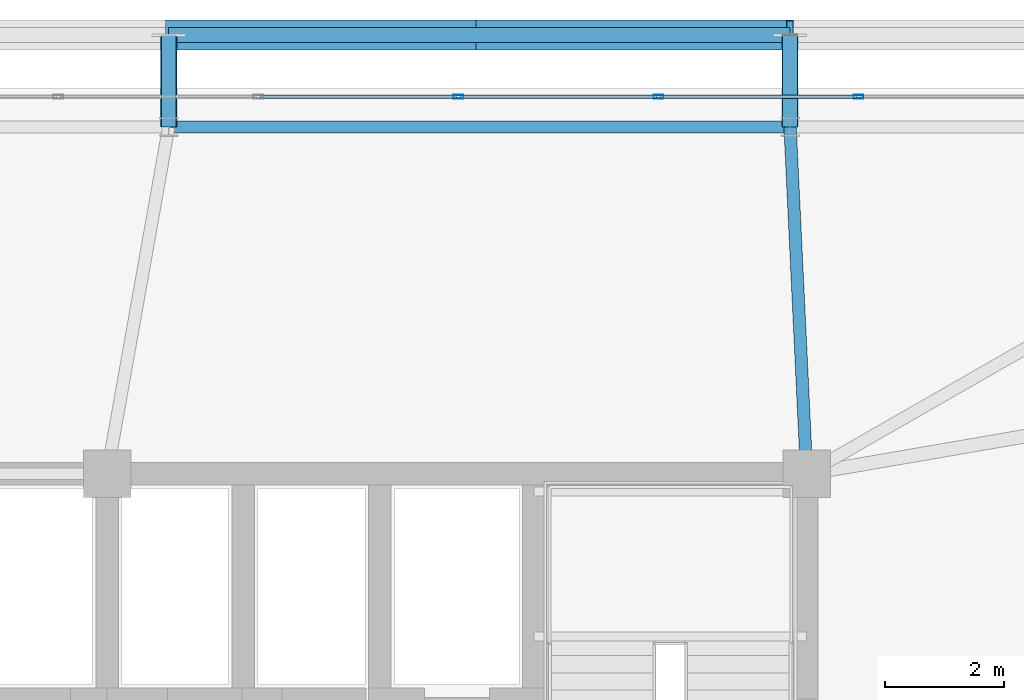
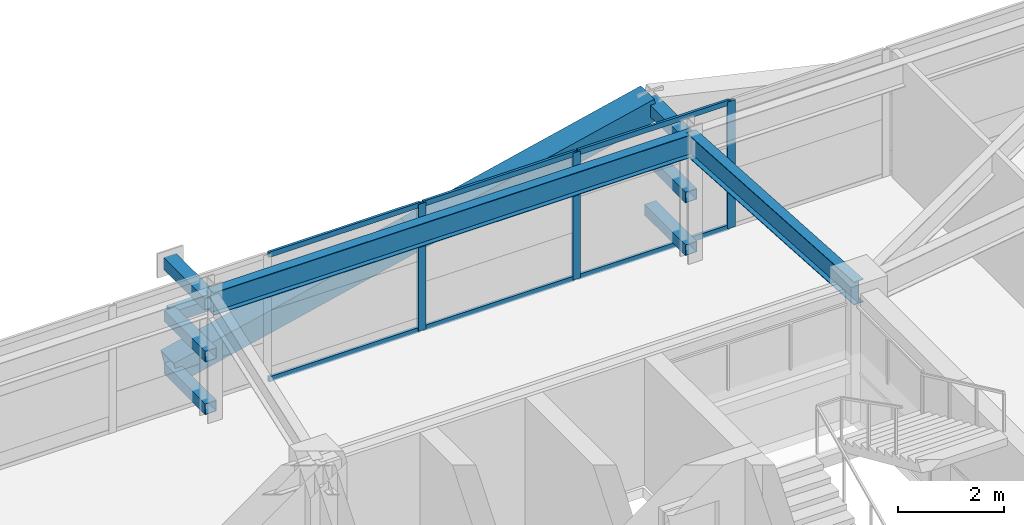
# One storey, part 38 of 59: 18 members, 2 beams, 1 element without a shape of its own.
"""IFC4 building model written with IfcOpenShell, lengths in metres."""

from ifc_helpers import new_model, si_unit, direction, frame, origin, origin_2d, place, context, subcontext, project, spatial, hollow_rectangle, i_section, extrude, source, transform, mapped, material, layer, layer_set, material_profile, profile_set, type_object, element, aggregate, save


model = new_model("IFC4")

# Units and contexts
model_context = context("Model", 3, precision=1e-05, world=origin(), true_north=direction((0.0, 1.0)))
body_context = subcontext(model_context, "Body", "Model", "MODEL_VIEW")
ifc_project = project(units=[si_unit("LENGTHUNIT", "METRE"), si_unit("AREAUNIT", "SQUARE_METRE"), si_unit("VOLUMEUNIT", "CUBIC_METRE"), si_unit("PLANEANGLEUNIT", "RADIAN"), si_unit("MASSUNIT", "GRAM", prefix="KILO")], contexts=[model_context])

# Site, building, storey
site_placement = place(None, origin())
site = spatial("IfcSite", under=ifc_project, at=site_placement, CompositionType="ELEMENT")
building_placement = place(site_placement, origin())
building = spatial("IfcBuilding", under=site, at=building_placement, Name="Taldren Reach Tower", CompositionType="ELEMENT")
storey_placement = place(building_placement, frame((0.0, 0.0, 26.25)))
storey = spatial("IfcBuildingStorey", under=building, at=storey_placement, Name="L07", CompositionType="ELEMENT", Elevation=26.25)

# Beams
ifc_material_1 = material(Name="Steel Gr 350 (350PLUS)", Category="steel")
ifc_material_profile_1 = material_profile(ifc_material_1, i_section(OverallWidth=0.208984375, OverallDepth=0.528076171875, WebThickness=0.009521484375, FlangeThickness=0.01318359375, at=origin_2d()), Name="530UB82.0")
ifc_profile_set_1 = profile_set([ifc_material_profile_1], Name="Steel Gr 350 (350PLUS)")
beam_type_1 = type_object("IfcBeamType", Name="SP-UB530B", PredefinedType="SPANDREL", material=ifc_profile_set_1)
shared_shape_1 = source(origin(), body_context, "Body", "SweptSolid", [
    extrude(i_section(OverallWidth=0.208984375, OverallDepth=0.528076171875, WebThickness=0.009521484375, FlangeThickness=0.01318359375, at=origin_2d()), origin(), (0.0, 0.0, 1.0), 10.47998046875),
])
beam_1_placement = place(storey_placement, frame((50.719970703125, 37.85009765625, 2.666015625), z_axis=(-1.0, 0.0, 0.0), x_axis=(0.0, -1.0, 0.0)))
element("IfcBeam", 1, at=beam_1_placement, inside=storey, type_object=beam_type_1, Name="Perimeter spandrel B1 N5-N4 L07", PredefinedType="SPANDREL", context=body_context, shape_type="MappedRepresentation", body=[
    mapped(shared_shape_1, transform((0.0, 0.0, 0.0), scale=1.0)),
])
ifc_material_profile_2 = material_profile(ifc_material_1, i_section(OverallWidth=0.208984375, OverallDepth=0.532958984375, WebThickness=0.01025390625, FlangeThickness=0.015625, at=origin_2d()), Name="530UB92.4")
ifc_profile_set_2 = profile_set([ifc_material_profile_2], Name="Steel Gr 350 (350PLUS)")
beam_type_2 = type_object("IfcBeamType", Name="BM-UB530A", PredefinedType="BEAM", material=ifc_profile_set_2)
shared_shape_2 = source(origin(), body_context, "Body", "SweptSolid", [
    extrude(i_section(OverallWidth=0.208984375, OverallDepth=0.532958984375, WebThickness=0.01025390625, FlangeThickness=0.015625, at=origin_2d()), origin(), (0.0, 0.0, 1.0), 5.856689453125),
])
beam_2_placement = place(storey_placement, frame((51.0, 32.0, 2.66357421875), z_axis=(-0.047812711672, 0.998856318297, 0.0), x_axis=(-0.998856318297, -0.047812711672, 0.0)))
element("IfcBeam", 2, at=beam_2_placement, inside=storey, type_object=beam_type_2, Name="Primary floor girder B1-N5 L07", PredefinedType="BEAM", context=body_context, shape_type="MappedRepresentation", body=[
    mapped(shared_shape_2, transform((0.0, 0.0, 0.0), scale=1.0)),
])

# Members
ifc_material_2 = material(Name="Steel Gr 450 (C450L0)", Category="steel")
ifc_material_profile_3 = material_profile(ifc_material_2, hollow_rectangle(XDim=0.27490234375, YDim=0.27490234375, WallThickness=0.00927734375, at=origin_2d()), Name="275x275x9.3SHS")
ifc_profile_set_3 = profile_set([ifc_material_profile_3], Name="Steel Gr 450 (C450L0)")
member_type_1 = type_object("IfcMemberType", Name="MB-TIE273", PredefinedType="STRUT", material=ifc_profile_set_3)
shared_shape_3 = source(origin(), body_context, "Body", "SweptSolid", [
    extrude(hollow_rectangle(XDim=0.27490234375, YDim=0.27490234375, WallThickness=0.00927734375, at=origin_2d()), origin(), (0.0, 0.0, 1.0), 1.5498046875),
])
for number, where, z_axis, x_axis, name in (
    (3, (40.239990234375, 37.85009765625, 2.64990234375), (0.0, 1.0, 0.0), (-1.0, 0.0, 0.0), "Exoskeleton diaphragm tie strut B1-N4 L07"),
    (4, (50.719970703125, 37.85009765625, 2.64990234375), (0.0, 1.0, 0.0), (-1.0, 0.0, 0.0), "Exoskeleton diaphragm tie strut B1-N5 L07"),
):
    element("IfcMember", number, at=place(storey_placement, frame(where, z_axis=z_axis, x_axis=x_axis)), inside=storey, type_object=member_type_1, Name=name, PredefinedType="STRUT", context=body_context, shape_type="MappedRepresentation", body=[
        mapped(shared_shape_3, transform((0.0, 0.0, 0.0), scale=1.0)),
    ])
ifc_material_profile_4 = material_profile(ifc_material_2, hollow_rectangle(XDim=0.510009765625, YDim=0.510009765625, WallThickness=0.02001953125, at=origin_2d()), Name="510x510x20.0SHS")
ifc_profile_set_4 = profile_set([ifc_material_profile_4], Name="Steel Gr 450 (C450L0)")
member_type_2 = type_object("IfcMemberType", Name="MB-EXO508", PredefinedType="BRACE", material=ifc_profile_set_4)
shared_shape_4 = source(origin(), body_context, "Body", "SweptSolid", [
    extrude(hollow_rectangle(XDim=0.510009765625, YDim=0.510009765625, WallThickness=0.02001953125, at=origin_2d()), origin(), (0.0, 0.0, 1.0), 5.37890625),
])
for number, where, z_axis, x_axis, name in (
    (5, (40.239990234375, 39.39990234375, 0.219970703125), (0.97415197996, 0.0, 0.225893603143), (0.0, 1.0, 0.0), "Exoskeleton Diagrid Brace B1-N4 L07"),
    (6, (45.47998046875, 39.39990234375, 1.43505859375), (0.974161966843, 0.0, 0.225850531007), (0.0, 1.0, 0.0), "Exoskeleton Diagrid Brace B1-N4 L07"),
):
    element("IfcMember", number, at=place(storey_placement, frame(where, z_axis=z_axis, x_axis=x_axis)), inside=storey, type_object=member_type_2, Name=name, PredefinedType="BRACE", context=body_context, shape_type="MappedRepresentation", body=[
        mapped(shared_shape_4, transform((0.0, 0.0, 0.0), scale=1.0)),
    ])
ifc_material_3 = material(Name="Steel Gr 350 (C350L0)", Category="steel")
ifc_material_profile_5 = material_profile(ifc_material_3, hollow_rectangle(XDim=0.25, YDim=0.25, WallThickness=0.010009765625, at=origin_2d()), Name="250x250x10.0SHS")
ifc_profile_set_5 = profile_set([ifc_material_profile_5], Name="Steel Gr 350 (C350L0)")
member_type_3 = type_object("IfcMemberType", Name="MB-POST250", PredefinedType="POST", material=ifc_profile_set_5)
shared_shape_5 = source(origin(), body_context, "Body", "SweptSolid", [
    extrude(hollow_rectangle(XDim=0.25, YDim=0.25, WallThickness=0.010009765625, at=origin_2d()), origin(), (0.0, 0.0, 1.0), 10.47998046875),
])
member_1_placement = place(storey_placement, frame((40.239990234375, 39.39990234375, 1.43505859375), z_axis=(1.0, 0.0, 0.0), x_axis=(0.0, 1.0, 0.0)))
element("IfcMember", 7, at=member_1_placement, inside=storey, type_object=member_type_3, Name="Exoskeleton mid-height ring chord B1-N4 L07", PredefinedType="POST", context=body_context, shape_type="MappedRepresentation", body=[
    mapped(shared_shape_5, transform((0.0, 0.0, 0.0), scale=1.0)),
])
shared_shape_6 = source(origin(), body_context, "Body", "SweptSolid", [
    extrude(hollow_rectangle(XDim=0.25, YDim=0.25, WallThickness=0.010009765625, at=origin_2d()), origin(), (0.0, 0.0, 1.0), 1.5498046875),
])
for number, where, z_axis, x_axis, name in (
    (8, (40.239990234375, 37.85009765625, 0.219970703125), (0.0, 1.0, 0.0), (-1.0, 0.0, 0.0), "Exoskeleton base diaphragm tie strut B1-N4 L07"),
    (9, (50.719970703125, 37.85009765625, 0.219970703125), (0.0, 1.0, 0.0), (-1.0, 0.0, 0.0), "Exoskeleton base diaphragm tie strut B1-N5 L07"),
    (10, (40.239990234375, 37.85009765625, 1.43505859375), (0.0, 1.0, 0.0), (-1.0, 0.0, 0.0), "Exoskeleton mid-tier diaphragm tie B1-N4 L07"),
    (11, (50.719970703125, 37.85009765625, 1.43505859375), (0.0, 1.0, 0.0), (-1.0, 0.0, 0.0), "Exoskeleton mid-tier diaphragm tie B1-N5 L07"),
):
    element("IfcMember", number, at=place(storey_placement, frame(where, z_axis=z_axis, x_axis=x_axis)), inside=storey, type_object=member_type_3, Name=name, PredefinedType="POST", context=body_context, shape_type="MappedRepresentation", body=[
        mapped(shared_shape_6, transform((0.0, 0.0, 0.0), scale=1.0)),
    ])

# Curtain wall, members
ifc_material_4 = material(Name="Aluminium and Low-E Glass Unitised System", Category="aluminium")
ifc_layer = layer(ifc_material_4, 0.159912109375)
ifc_layer_set = layer_set([ifc_layer], Name="Aluminium and Low-E Glass Unitised System")
curtain_wall_type = type_object("IfcCurtainWallType", Name="CW-SYS-2", PredefinedType="NOTDEFINED", material=ifc_layer_set)
curtain_wall_placement = place(storey_placement, origin())
curtain_wall = element("IfcCurtainWall", 12, at=curtain_wall_placement, inside=storey, type_object=curtain_wall_type, Name="Unitised curtain wall CW-L07-N", PredefinedType="NOTDEFINED")
ifc_material_5 = material(Name="Anodised Aluminium 6063-T6", Category="aluminium")
ifc_material_profile_6 = material_profile(ifc_material_5, hollow_rectangle(XDim=0.06494140625, YDim=0.1650390625, WallThickness=0.00390625, at=origin_2d()), Name="ALU-165x65x4RHS")
ifc_profile_set_6 = profile_set([ifc_material_profile_6], Name="Anodised Aluminium 6063-T6")
member_type_4 = type_object("IfcMemberType", Name="CW-MUL-165", PredefinedType="MULLION", material=ifc_profile_set_6)
shared_shape_7 = source(origin(), body_context, "Body", "SweptSolid", [
    extrude(hollow_rectangle(XDim=0.06494140625, YDim=0.1650390625, WallThickness=0.00390625, at=origin_2d()), origin(), (0.0, 0.0, 1.0), 2.929931640625),
])
member_2_placement = place(storey_placement, frame((51.875, 38.360107421875, 0.0), z_axis=(0.0, 0.0, 1.0), x_axis=(0.0, -1.0, 0.0)))
member_2 = element("IfcMember", 13, at=member_2_placement, type_object=member_type_4, Name="CW-2 mullion 4", PredefinedType="MULLION", context=body_context, shape_type="MappedRepresentation", body=[
    mapped(shared_shape_7, transform((0.0, 0.0, 0.0), scale=1.0)),
])
member_3_placement = place(storey_placement, frame((48.5, 38.360107421875, 0.0), z_axis=(0.0, 0.0, 1.0), x_axis=(0.0, -1.0, 0.0)))
member_3 = element("IfcMember", 14, at=member_3_placement, type_object=member_type_4, Name="CW-2 mullion 5", PredefinedType="MULLION", context=body_context, shape_type="MappedRepresentation", body=[
    mapped(shared_shape_7, transform((0.0, 0.0, 0.0), scale=1.0)),
])
member_4_placement = place(storey_placement, frame((45.125, 38.360107421875, 0.0), z_axis=(0.0, 0.0, 1.0), x_axis=(0.0, -1.0, 0.0)))
member_4 = element("IfcMember", 15, at=member_4_placement, type_object=member_type_4, Name="CW-2 mullion 6", PredefinedType="MULLION", context=body_context, shape_type="MappedRepresentation", body=[
    mapped(shared_shape_7, transform((0.0, 0.0, 0.0), scale=1.0)),
])
ifc_material_profile_7 = material_profile(ifc_material_5, hollow_rectangle(XDim=0.054931640625, YDim=0.1201171875, WallThickness=0.0029296875, at=origin_2d()), Name="ALU-120x55x3RHS")
ifc_profile_set_7 = profile_set([ifc_material_profile_7], Name="Anodised Aluminium 6063-T6")
member_type_5 = type_object("IfcMemberType", Name="CW-TRN-135", PredefinedType="USERDEFINED", material=ifc_profile_set_7)
shared_shape_8 = source(origin(), body_context, "Body", "SweptSolid", [
    extrude(hollow_rectangle(XDim=0.054931640625, YDim=0.1201171875, WallThickness=0.0029296875, at=origin_2d()), origin(), (0.0, 0.0, 1.0), 3.31005859375),
])
member_5_placement = place(storey_placement, frame((51.842529296875, 38.360107421875, 0.027587890625), z_axis=(-1.0, 0.0, 0.0), x_axis=(0.0, -1.0, 0.0)))
member_5 = element("IfcMember", 16, at=member_5_placement, type_object=member_type_5, Name="CW-2 transom 4.1", ObjectType="TRANSOM", PredefinedType="USERDEFINED", context=body_context, shape_type="MappedRepresentation", body=[
    mapped(shared_shape_8, transform((0.0, 0.0, 0.0), scale=1.0)),
])
member_6_placement = place(storey_placement, frame((51.842529296875, 38.360107421875, 2.902587890625), z_axis=(-1.0, 0.0, 0.0), x_axis=(0.0, -1.0, 0.0)))
member_6 = element("IfcMember", 17, at=member_6_placement, type_object=member_type_5, Name="CW-2 transom 4.2", ObjectType="TRANSOM", PredefinedType="USERDEFINED", context=body_context, shape_type="MappedRepresentation", body=[
    mapped(shared_shape_8, transform((0.0, 0.0, 0.0), scale=1.0)),
])
member_7_placement = place(storey_placement, frame((48.467529296875, 38.360107421875, 0.027587890625), z_axis=(-1.0, 0.0, 0.0), x_axis=(0.0, -1.0, 0.0)))
member_7 = element("IfcMember", 18, at=member_7_placement, type_object=member_type_5, Name="CW-2 transom 5.1", ObjectType="TRANSOM", PredefinedType="USERDEFINED", context=body_context, shape_type="MappedRepresentation", body=[
    mapped(shared_shape_8, transform((0.0, 0.0, 0.0), scale=1.0)),
])
member_8_placement = place(storey_placement, frame((48.467529296875, 38.360107421875, 2.902587890625), z_axis=(-1.0, 0.0, 0.0), x_axis=(0.0, -1.0, 0.0)))
member_8 = element("IfcMember", 19, at=member_8_placement, type_object=member_type_5, Name="CW-2 transom 5.2", ObjectType="TRANSOM", PredefinedType="USERDEFINED", context=body_context, shape_type="MappedRepresentation", body=[
    mapped(shared_shape_8, transform((0.0, 0.0, 0.0), scale=1.0)),
])
member_9_placement = place(storey_placement, frame((45.092529296875, 38.360107421875, 0.027587890625), z_axis=(-1.0, 0.0, 0.0), x_axis=(0.0, -1.0, 0.0)))
member_9 = element("IfcMember", 20, at=member_9_placement, type_object=member_type_5, Name="CW-2 transom 6.1", ObjectType="TRANSOM", PredefinedType="USERDEFINED", context=body_context, shape_type="MappedRepresentation", body=[
    mapped(shared_shape_8, transform((0.0, 0.0, 0.0), scale=1.0)),
])
member_10_placement = place(storey_placement, frame((45.092529296875, 38.360107421875, 2.902587890625), z_axis=(-1.0, 0.0, 0.0), x_axis=(0.0, -1.0, 0.0)))
member_10 = element("IfcMember", 21, at=member_10_placement, type_object=member_type_5, Name="CW-2 transom 6.2", ObjectType="TRANSOM", PredefinedType="USERDEFINED", context=body_context, shape_type="MappedRepresentation", body=[
    mapped(shared_shape_8, transform((0.0, 0.0, 0.0), scale=1.0)),
])
aggregate(curtain_wall, [member_2, member_3, member_4, member_5, member_6, member_7, member_8, member_9, member_10])

save(model, "model.ifc")
